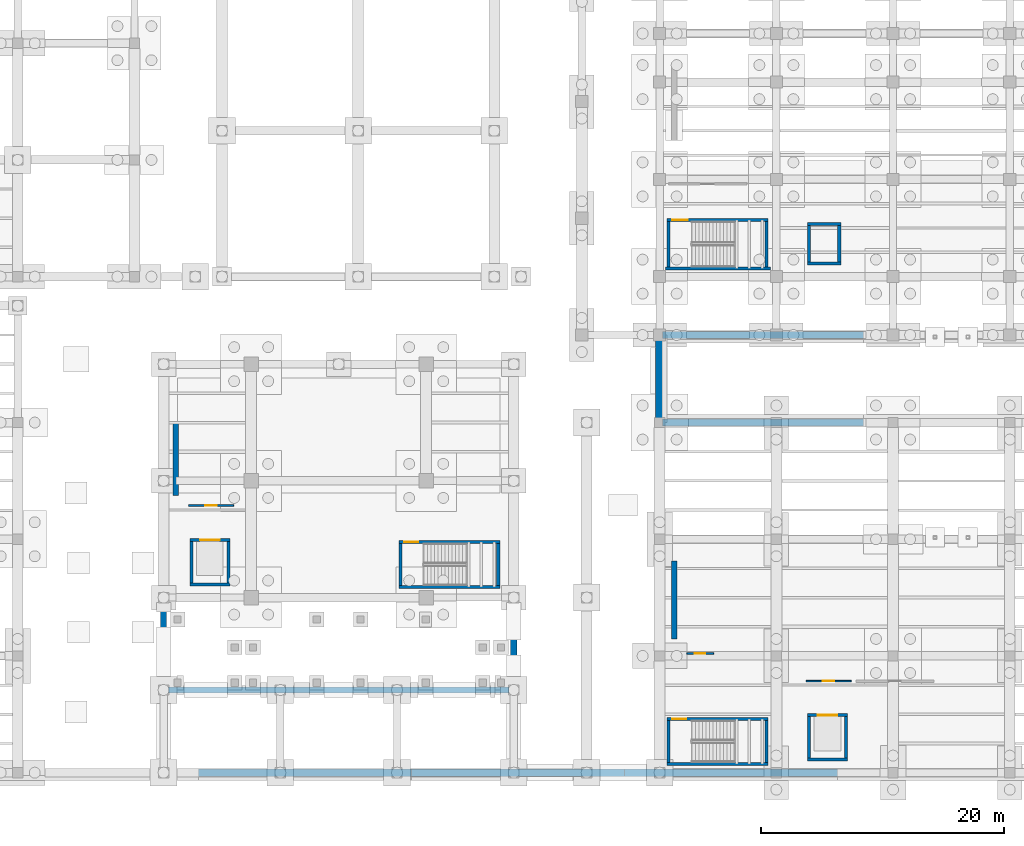
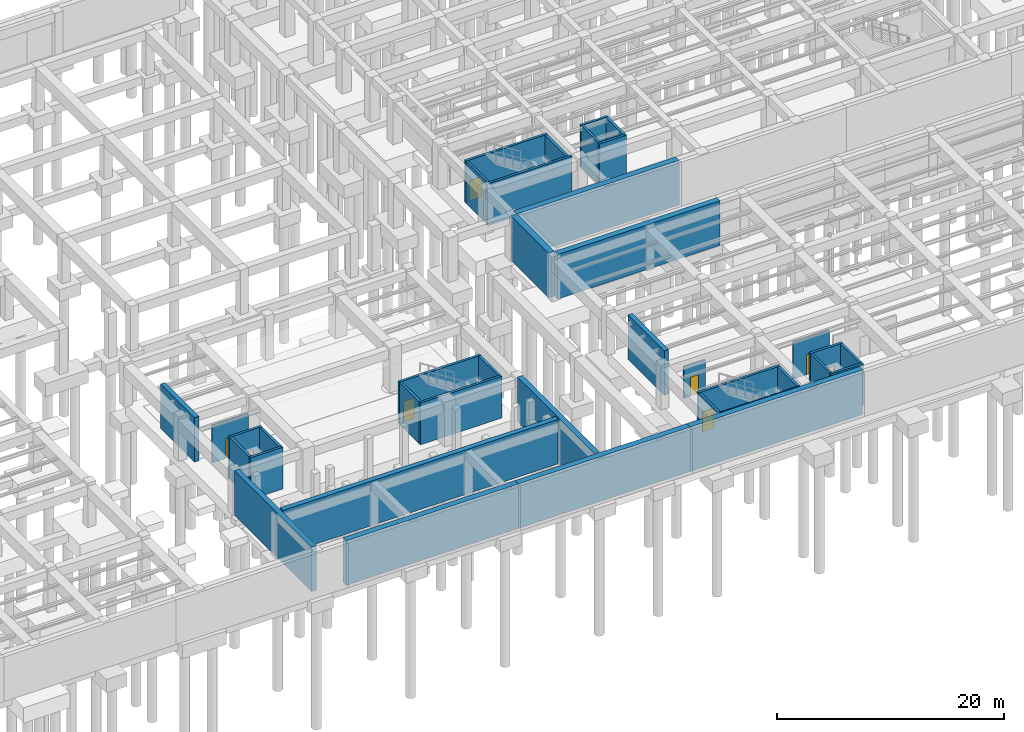
# One storey, part 36 of 56: 38 walls, 8 doors, 8 openings.
"""IFC4 building model written with IfcOpenShell, lengths in metres."""

from ifc_helpers import new_model, si_unit, direction, frame, frame_2d, origin, place, context, subcontext, project, spatial, rectangle, extrude, material, layer, layer_set, type_object, element, fill, save


model = new_model("IFC4")

# Units and contexts
model_context = context("Model", 3, precision=1e-05, world=origin(), true_north=direction((0.0, 1.0)))
body_context = subcontext(model_context, "Body", "Model", "MODEL_VIEW")
ifc_project = project(units=[si_unit("LENGTHUNIT", "METRE"), si_unit("AREAUNIT", "SQUARE_METRE"), si_unit("VOLUMEUNIT", "CUBIC_METRE"), si_unit("PLANEANGLEUNIT", "RADIAN"), si_unit("MASSUNIT", "GRAM", prefix="KILO")], contexts=[model_context])

# Site, building, storey
site_placement = place(None, origin())
site = spatial("IfcSite", under=ifc_project, at=site_placement, CompositionType="ELEMENT")
building_placement = place(site_placement, origin())
building = spatial("IfcBuilding", under=site, at=building_placement, Name="Mavantir Sound Aquarium", CompositionType="ELEMENT")
storey_placement = place(building_placement, frame((0.0, 0.0, -9.60009765625)))
storey = spatial("IfcBuildingStorey", under=building, at=storey_placement, Name="B2", CompositionType="ELEMENT", Elevation=-9.60009765625)

# Wall, opening, door
ifc_material_1 = material(Name="Lightweight Partition Framing", Category="gypsum")
ifc_layer_1 = layer(ifc_material_1, 0.1201171875, Name="Lightweight Partition Framing")
ifc_layer_set_1 = layer_set([ifc_layer_1], Name="Lightweight Partition Framing")
wall_type_1 = type_object("IfcWallType", Name="IW-PART-120", PredefinedType="PARTITIONING", material=ifc_layer_set_1)
wall_1_placement = place(storey_placement, frame((120.050048828125, 7.52490234375, 0.0), z_axis=(0.0, 0.0, 1.0), x_axis=(1.0, 0.0, 0.0)))
wall_1 = element("IfcWall", 1, at=wall_1_placement, inside=storey, type_object=wall_type_1, Name="B2 Life Support Filtration Header and Seawater Polishing Plant entry partition", PredefinedType="PARTITIONING", context=body_context, shape_type="SweptSolid", body=[
    extrude(rectangle(XDim=3.699951171875, YDim=0.1201171875, at=frame_2d((1.85009765625, 0.0))), origin(), (0.0, 0.0, 1.0), 3.9990234375),
])
opening_1_placement = place(wall_1_placement, frame((1.375, 0.0, 0.0)))
opening_1 = element("IfcOpeningElement", 2, at=opening_1_placement, cuts=wall_1, Name="Opening ID-02", PredefinedType="OPENING", context=body_context, shape_type="SweptSolid", body=[
    extrude(rectangle(XDim=0.949951171875, YDim=2.14990234375, at=frame_2d((0.47509765625, 1.074951171875))), frame((0.0, 0.070068359375, 0.0), z_axis=(0.0, -1.0, 0.0), x_axis=(1.0, 0.0, 0.0)), (0.0, 0.0, 1.0), 0.14013671875),
])
ifc_material_2 = material(Name="Solid-Core Marine Hardwood and Vision-Panel Door", Category="wood")
door_type_1 = type_object("IfcDoorType", Name="DR-INT-02", OperationType="NOTDEFINED", PredefinedType="DOOR", material=ifc_material_2)
door_1_placement = place(opening_1_placement, origin())
door_1 = element("IfcDoor", 3, at=door_1_placement, inside=storey, type_object=door_type_1, Name="Life Support Filtration Header and Seawater Polishing Plant door", OperationType="SINGLE_SWING_LEFT", OverallHeight=2.14990234375, OverallWidth=0.949951171875, PredefinedType="DOOR", context=body_context, shape_type="SweptSolid", body=[
    extrude(rectangle(XDim=0.949951171875, YDim=2.14990234375, at=frame_2d((0.47509765625, 1.074951171875))), frame((0.0, 0.02490234375, 0.0), z_axis=(0.0, -1.0, 0.0), x_axis=(1.0, 0.0, 0.0)), (0.0, 0.0, 1.0), 0.050048828125),
])
fill(opening_1, door_1)

ifc_material_3 = material(Name="Acoustic Metal-Stud Gypsum Partition", Category="gypsum")
ifc_layer_2 = layer(ifc_material_3, 0.1298828125, Name="Acoustic Metal-Stud Gypsum Partition")
ifc_layer_set_2 = layer_set([ifc_layer_2], Name="Acoustic Metal-Stud Gypsum Partition")
wall_type_2 = type_object("IfcWallType", Name="IW-PART-130", PredefinedType="PARTITIONING", material=ifc_layer_set_2)
wall_2_placement = place(storey_placement, frame((69.25, 21.97509765625, 0.0), z_axis=(0.0, 0.0, 1.0), x_axis=(1.0, 0.0, 0.0)))
wall_2 = element("IfcWall", 4, at=wall_2_placement, inside=storey, type_object=wall_type_2, Name="B2 Metro Station Platform Concourse East entry partition", PredefinedType="PARTITIONING", context=body_context, shape_type="SweptSolid", body=[
    extrude(rectangle(XDim=3.699951171875, YDim=0.1298828125, at=frame_2d((1.85009765625, 0.0))), origin(), (0.0, 0.0, 1.0), 4.049072265625),
])
opening_2_placement = place(wall_2_placement, frame((1.389892578125, 0.0, 0.0)))
opening_2 = element("IfcOpeningElement", 5, at=opening_2_placement, cuts=wall_2, Name="Opening ID-01", PredefinedType="OPENING", context=body_context, shape_type="SweptSolid", body=[
    extrude(rectangle(XDim=0.919921875, YDim=2.1201171875, at=frame_2d((0.4599609375, 1.06005859375))), frame((0.0, 0.074951171875, 0.0), z_axis=(0.0, -1.0, 0.0), x_axis=(1.0, 0.0, 0.0)), (0.0, 0.0, 1.0), 0.14990234375),
])
door_type_2 = type_object("IfcDoorType", Name="DR-INT-01", OperationType="NOTDEFINED", PredefinedType="DOOR", material=ifc_material_2)
door_2_placement = place(opening_2_placement, origin())
door_2 = element("IfcDoor", 6, at=door_2_placement, inside=storey, type_object=door_type_2, Name="Metro Station Platform Concourse East door", OperationType="SINGLE_SWING_RIGHT", OverallHeight=2.1201171875, OverallWidth=0.919921875, PredefinedType="DOOR", context=body_context, shape_type="SweptSolid", body=[
    extrude(rectangle(XDim=0.919921875, YDim=2.1201171875, at=frame_2d((0.4599609375, 1.06005859375))), frame((0.0, 0.02490234375, 0.0), z_axis=(0.0, -1.0, 0.0), x_axis=(1.0, 0.0, 0.0)), (0.0, 0.0, 1.0), 0.050048828125),
])
fill(opening_2, door_2)

ifc_material_4 = material(Name="Moisture-Resistant Marine Gypsum Partition", Category="gypsum")
ifc_layer_3 = layer(ifc_material_4, 0.139892578125, Name="Moisture-Resistant Marine Gypsum Partition")
ifc_layer_set_3 = layer_set([ifc_layer_3], Name="Moisture-Resistant Marine Gypsum Partition")
wall_type_3 = type_object("IfcWallType", Name="IW-PART-140", PredefinedType="PARTITIONING", material=ifc_layer_set_3)
wall_3_placement = place(storey_placement, frame((110.239990234375, 9.800048828125, 0.0), z_axis=(0.0, 0.0, 1.0), x_axis=(1.0, 0.0, 0.0)))
wall_3 = element("IfcWall", 7, at=wall_3_placement, inside=storey, type_object=wall_type_3, Name="B2 service riser enclosure 3", PredefinedType="PARTITIONING", context=body_context, shape_type="SweptSolid", body=[
    extrude(rectangle(XDim=2.199951171875, YDim=0.139892578125, at=frame_2d((1.10009765625, 0.0))), origin(), (0.0, 0.0, 1.0), 3.416015625),
])
opening_3_placement = place(wall_3_placement, frame((0.64990234375, 0.0, 0.0)))
opening_3 = element("IfcOpeningElement", 8, at=opening_3_placement, cuts=wall_3, Name="Opening TD-01", PredefinedType="OPENING", context=body_context, shape_type="SweptSolid", body=[
    extrude(rectangle(XDim=0.85009765625, YDim=2.050048828125, at=frame_2d((0.425048828125, 1.02490234375))), frame((0.0, 0.080078125, 0.0), z_axis=(0.0, -1.0, 0.0), x_axis=(1.0, 0.0, 0.0)), (0.0, 0.0, 1.0), 0.159912109375),
])
ifc_material_5 = material(Name="Powder-Coated Steel Riser Access Door", Category="steel")
door_type_3 = type_object("IfcDoorType", Name="DR-TRAP-85", OperationType="NOTDEFINED", PredefinedType="TRAPDOOR", material=ifc_material_5)
door_3_placement = place(opening_3_placement, origin())
door_3 = element("IfcDoor", 9, at=door_3_placement, inside=storey, type_object=door_type_3, Name="B2 riser inspection trapdoor 3", OperationType="SINGLE_SWING_RIGHT", OverallHeight=2.050048828125, OverallWidth=0.85009765625, PredefinedType="TRAPDOOR", context=body_context, shape_type="SweptSolid", body=[
    extrude(rectangle(XDim=0.85009765625, YDim=2.050048828125, at=frame_2d((0.425048828125, 1.02490234375))), frame((0.0, 0.02490234375, 0.0), z_axis=(0.0, -1.0, 0.0), x_axis=(1.0, 0.0, 0.0)), (0.0, 0.0, 1.0), 0.050048828125),
])
fill(opening_3, door_3)

# Wall
ifc_material_6 = material(Name="Concrete C40/50", Category="concrete")
ifc_layer_4 = layer(ifc_material_6, 0.25, Name="Concrete C40/50")
ifc_layer_set_4 = layer_set([ifc_layer_4], Name="Concrete C40/50")
wall_type_4 = type_object("IfcWallType", Name="IW-SHAFT-250", PredefinedType="SHEAR", material=ifc_layer_set_4)
wall_4_placement = place(storey_placement, frame((108.5, 41.47509765625, 0.0), z_axis=(0.0, 0.0, 1.0), x_axis=(1.0, 0.0, 0.0)))
element("IfcWall", 10, at=wall_4_placement, inside=storey, type_object=wall_type_4, Name="B2 stair ST4 shaft wall S", PredefinedType="SHEAR", context=body_context, shape_type="SweptSolid", body=[
    extrude(rectangle(XDim=8.60009765625, YDim=0.25, at=frame_2d((4.300048828125, 0.0))), origin(), (0.0, 0.0, 1.0), 4.5),
])

# Wall, opening, door
wall_5_placement = place(storey_placement, frame((116.89990234375, 45.47509765625, 0.0), z_axis=(0.0, 0.0, 1.0), x_axis=(-1.0, 0.0, 0.0)))
wall_5 = element("IfcWall", 11, at=wall_5_placement, inside=storey, type_object=wall_type_4, Name="B2 stair ST4 shaft wall N", PredefinedType="SHEAR", context=body_context, shape_type="SweptSolid", body=[
    extrude(rectangle(XDim=8.2998046875, YDim=0.25, at=frame_2d((4.14990234375, 0.0))), origin(), (0.0, 0.0, 1.0), 4.5),
])
opening_4_placement = place(wall_5_placement, frame((7.85009765625, 0.0, 0.0), z_axis=(0.0, 0.0, 1.0), x_axis=(-1.0, 0.0, 0.0)))
opening_4 = element("IfcOpeningElement", 12, at=opening_4_placement, cuts=wall_5, Name="Opening SD-01", PredefinedType="OPENING", context=body_context, shape_type="SweptSolid", body=[
    extrude(rectangle(XDim=1.25, YDim=2.199951171875, at=frame_2d((0.625, 1.10009765625))), frame((0.0, 0.135009765625, 0.0), z_axis=(0.0, -1.0, 0.0), x_axis=(1.0, 0.0, 0.0)), (0.0, 0.0, 1.0), 0.27001953125),
])
ifc_material_7 = material(Name="Fire-Rated Steel Acoustic Door Leaf", Category="steel")
door_type_4 = type_object("IfcDoorType", Name="DR-ST-125", OperationType="NOTDEFINED", PredefinedType="DOOR", material=ifc_material_7)
door_4_placement = place(opening_4_placement, origin())
door_4 = element("IfcDoor", 13, at=door_4_placement, inside=storey, type_object=door_type_4, Name="B2 protected exit stair ST4 door", OperationType="SINGLE_SWING_LEFT", OverallHeight=2.199951171875, OverallWidth=1.25, PredefinedType="DOOR", context=body_context, shape_type="SweptSolid", body=[
    extrude(rectangle(XDim=1.25, YDim=2.199951171875, at=frame_2d((0.625, 1.10009765625))), frame((0.0, 0.02490234375, 0.0), z_axis=(0.0, -1.0, 0.0), x_axis=(1.0, 0.0, 0.0)), (0.0, 0.0, 1.0), 0.050048828125),
])
fill(opening_4, door_4)

# Walls
for number, where, z_axis, x_axis, name in (
    (14, (108.72509765625, 45.35009765625, 0.0), (0.0, 0.0, 1.0), (0.0, -1.0, 0.0), "B2 stair ST4 shaft wall W"),
    (15, (116.77490234375, 41.60009765625, 0.0), (0.0, 0.0, 1.0), (0.0, 1.0, 0.0), "B2 stair ST4 shaft wall E"),
):
    element("IfcWall", number, at=place(storey_placement, frame(where, z_axis=z_axis, x_axis=x_axis)), inside=storey, type_object=wall_type_4, Name=name, PredefinedType="SHEAR", context=body_context, shape_type="SweptSolid", body=[
        extrude(rectangle(XDim=3.75, YDim=0.25, at=frame_2d((1.875, 0.0))), origin(), (0.0, 0.0, 1.0), 4.5),
    ])
wall_6_placement = place(storey_placement, frame((108.60009765625, 0.72509765625, 0.0), z_axis=(0.0, 0.0, 1.0), x_axis=(1.0, 0.0, 0.0)))
element("IfcWall", 16, at=wall_6_placement, inside=storey, type_object=wall_type_4, Name="B2 stair ST6 shaft wall S", PredefinedType="SHEAR", context=body_context, shape_type="SweptSolid", body=[
    extrude(rectangle(XDim=8.2998046875, YDim=0.25, at=frame_2d((4.14990234375, 0.0))), origin(), (0.0, 0.0, 1.0), 4.4501953125),
])

# Wall, opening, door
wall_7_placement = place(storey_placement, frame((116.89990234375, 4.425048828125, 0.0), z_axis=(0.0, 0.0, 1.0), x_axis=(-1.0, 0.0, 0.0)))
wall_7 = element("IfcWall", 17, at=wall_7_placement, inside=storey, type_object=wall_type_4, Name="B2 stair ST6 shaft wall N", PredefinedType="SHEAR", context=body_context, shape_type="SweptSolid", body=[
    extrude(rectangle(XDim=8.2998046875, YDim=0.25, at=frame_2d((4.14990234375, 0.0))), origin(), (0.0, 0.0, 1.0), 4.4501953125),
])
opening_5_placement = place(wall_7_placement, frame((7.849853515625, 0.0, 0.0), z_axis=(0.0, 0.0, 1.0), x_axis=(-1.0, 0.0, 0.0)))
opening_5 = element("IfcOpeningElement", 18, at=opening_5_placement, cuts=wall_7, Name="Opening SD-02", PredefinedType="OPENING", context=body_context, shape_type="SweptSolid", body=[
    extrude(rectangle(XDim=1.14990234375, YDim=2.199951171875, at=frame_2d((0.574951171875, 1.10009765625))), frame((0.0, 0.135009765625, 0.0), z_axis=(0.0, -1.0, 0.0), x_axis=(1.0, 0.0, 0.0)), (0.0, 0.0, 1.0), 0.27001953125),
])
door_type_5 = type_object("IfcDoorType", Name="DR-ST-115", OperationType="NOTDEFINED", PredefinedType="DOOR", material=ifc_material_7)
door_5_placement = place(opening_5_placement, origin())
door_5 = element("IfcDoor", 19, at=door_5_placement, inside=storey, type_object=door_type_5, Name="B2 protected exit stair ST6 door", OperationType="SINGLE_SWING_LEFT", OverallHeight=2.199951171875, OverallWidth=1.14990234375, PredefinedType="DOOR", context=body_context, shape_type="SweptSolid", body=[
    extrude(rectangle(XDim=1.14990234375, YDim=2.199951171875, at=frame_2d((0.574951171875, 1.10009765625))), frame((0.0, 0.02490234375, 0.0), z_axis=(0.0, -1.0, 0.0), x_axis=(1.0, 0.0, 0.0)), (0.0, 0.0, 1.0), 0.050048828125),
])
fill(opening_5, door_5)

# Walls
for number, where, z_axis, x_axis, name in (
    (20, (108.72509765625, 4.300048828125, 0.0), (0.0, 0.0, 1.0), (0.0, -1.0, 0.0), "B2 stair ST6 shaft wall W"),
    (21, (116.77490234375, 0.85009765625, 0.0), (0.0, 0.0, 1.0), (0.0, 1.0, 0.0), "B2 stair ST6 shaft wall E"),
):
    element("IfcWall", number, at=place(storey_placement, frame(where, z_axis=z_axis, x_axis=x_axis)), inside=storey, type_object=wall_type_4, Name=name, PredefinedType="SHEAR", context=body_context, shape_type="SweptSolid", body=[
        extrude(rectangle(XDim=3.449951171875, YDim=0.25, at=frame_2d((1.72509765625, 0.0))), origin(), (0.0, 0.0, 1.0), 4.4501953125),
    ])
wall_8_placement = place(storey_placement, frame((86.550048828125, 15.27490234375, 0.0), z_axis=(0.0, 0.0, 1.0), x_axis=(1.0, 0.0, 0.0)))
element("IfcWall", 22, at=wall_8_placement, inside=storey, type_object=wall_type_4, Name="B2 stair ST11 shaft wall S", PredefinedType="SHEAR", context=body_context, shape_type="SweptSolid", body=[
    extrude(rectangle(XDim=8.300048828125, YDim=0.25, at=frame_2d((4.14990234375, 0.0))), origin(), (0.0, 0.0, 1.0), 4.5),
])

# Wall, opening, door
wall_9_placement = place(storey_placement, frame((94.85009765625, 18.97509765625, 0.0), z_axis=(0.0, 0.0, 1.0), x_axis=(-1.0, 0.0, 0.0)))
wall_9 = element("IfcWall", 23, at=wall_9_placement, inside=storey, type_object=wall_type_4, Name="B2 stair ST11 shaft wall N", PredefinedType="SHEAR", context=body_context, shape_type="SweptSolid", body=[
    extrude(rectangle(XDim=8.300048828125, YDim=0.25, at=frame_2d((4.14990234375, 0.0))), origin(), (0.0, 0.0, 1.0), 4.5),
])
opening_6_placement = place(wall_9_placement, frame((7.849853515625, 0.0, 0.0), z_axis=(0.0, 0.0, 1.0), x_axis=(-1.0, 0.0, 0.0)))
opening_6 = element("IfcOpeningElement", 24, at=opening_6_placement, cuts=wall_9, Name="Opening SD-02", PredefinedType="OPENING", context=body_context, shape_type="SweptSolid", body=[
    extrude(rectangle(XDim=1.14990234375, YDim=2.199951171875, at=frame_2d((0.574951171875, 1.10009765625))), frame((0.0, 0.135009765625, 0.0), z_axis=(0.0, -1.0, 0.0), x_axis=(1.0, 0.0, 0.0)), (0.0, 0.0, 1.0), 0.27001953125),
])
door_6_placement = place(opening_6_placement, origin())
door_6 = element("IfcDoor", 25, at=door_6_placement, inside=storey, type_object=door_type_5, Name="B2 protected exit stair ST11 door", OperationType="SINGLE_SWING_LEFT", OverallHeight=2.199951171875, OverallWidth=1.14990234375, PredefinedType="DOOR", context=body_context, shape_type="SweptSolid", body=[
    extrude(rectangle(XDim=1.14990234375, YDim=2.199951171875, at=frame_2d((0.574951171875, 1.10009765625))), frame((0.0, 0.02490234375, 0.0), z_axis=(0.0, -1.0, 0.0), x_axis=(1.0, 0.0, 0.0)), (0.0, 0.0, 1.0), 0.050048828125),
])
fill(opening_6, door_6)

# Walls
for number, where, z_axis, x_axis, name in (
    (26, (86.675048828125, 18.85009765625, 0.0), (0.0, 0.0, 1.0), (0.0, -1.0, 0.0), "B2 stair ST11 shaft wall W"),
    (27, (94.72509765625, 15.39990234375, 0.0), (0.0, 0.0, 1.0), (0.0, 1.0, 0.0), "B2 stair ST11 shaft wall E"),
):
    element("IfcWall", number, at=place(storey_placement, frame(where, z_axis=z_axis, x_axis=x_axis)), inside=storey, type_object=wall_type_4, Name=name, PredefinedType="SHEAR", context=body_context, shape_type="SweptSolid", body=[
        extrude(rectangle(XDim=3.4501953125, YDim=0.25, at=frame_2d((1.72509765625, 0.0))), origin(), (0.0, 0.0, 1.0), 4.5),
    ])
for number, where, z_axis, x_axis, name in (
    (28, (120.14990234375, 41.875, 0.0), (0.0, 0.0, 1.0), (1.0, 0.0, 0.0), "B2 lift LC4 shaft wall S"),
    (29, (120.14990234375, 45.125, 0.0), (0.0, 0.0, 1.0), (1.0, 0.0, 0.0), "B2 lift LC4 shaft wall N"),
):
    element("IfcWall", number, at=place(storey_placement, frame(where, z_axis=z_axis, x_axis=x_axis)), inside=storey, type_object=wall_type_4, Name=name, PredefinedType="SHEAR", context=body_context, shape_type="SweptSolid", body=[
        extrude(rectangle(XDim=2.75, YDim=0.25, at=frame_2d((1.375, 0.0))), origin(), (0.0, 0.0, 1.0), 4.5),
    ])
for number, where, z_axis, x_axis, name in (
    (30, (120.27490234375, 42.0, 0.0), (0.0, 0.0, 1.0), (0.0, 1.0, 0.0), "B2 lift LC4 shaft wall W"),
    (31, (122.77490234375, 42.0, 0.0), (0.0, 0.0, 1.0), (0.0, 1.0, 0.0), "B2 lift LC4 shaft wall E"),
):
    element("IfcWall", number, at=place(storey_placement, frame(where, z_axis=z_axis, x_axis=x_axis)), inside=storey, type_object=wall_type_4, Name=name, PredefinedType="SHEAR", context=body_context, shape_type="SweptSolid", body=[
        extrude(rectangle(XDim=3.0, YDim=0.25, at=frame_2d((1.5, 0.0))), origin(), (0.0, 0.0, 1.0), 4.5),
    ])
wall_10_placement = place(storey_placement, frame((120.14990234375, 1.074951171875, 0.0), z_axis=(0.0, 0.0, 1.0), x_axis=(1.0, 0.0, 0.0)))
element("IfcWall", 32, at=wall_10_placement, inside=storey, type_object=wall_type_4, Name="B2 lift LC6 shaft wall S", PredefinedType="SHEAR", context=body_context, shape_type="SweptSolid", body=[
    extrude(rectangle(XDim=3.300048828125, YDim=0.25, at=frame_2d((1.64990234375, 0.0))), origin(), (0.0, 0.0, 1.0), 4.4501953125),
])

# Wall, opening, door
wall_11_placement = place(storey_placement, frame((120.14990234375, 4.72509765625, 0.0), z_axis=(0.0, 0.0, 1.0), x_axis=(1.0, 0.0, 0.0)))
wall_11 = element("IfcWall", 33, at=wall_11_placement, inside=storey, type_object=wall_type_4, Name="B2 lift LC6 shaft wall N", PredefinedType="SHEAR", context=body_context, shape_type="SweptSolid", body=[
    extrude(rectangle(XDim=3.300048828125, YDim=0.25, at=frame_2d((1.64990234375, 0.0))), origin(), (0.0, 0.0, 1.0), 4.4501953125),
])
opening_7_placement = place(wall_11_placement, frame((0.85009765625, 0.0, 0.0)))
opening_7 = element("IfcOpeningElement", 34, at=opening_7_placement, cuts=wall_11, Name="Opening LD-03", PredefinedType="OPENING", context=body_context, shape_type="SweptSolid", body=[
    extrude(rectangle(XDim=1.60009765625, YDim=2.300048828125, at=frame_2d((0.800048828125, 1.14990234375))), frame((0.0, 0.135009765625, 0.0), z_axis=(0.0, -1.0, 0.0), x_axis=(1.0, 0.0, 0.0)), (0.0, 0.0, 1.0), 0.27001953125),
])
ifc_material_8 = material(Name="Stainless Steel 316 Goods Lift Landing Door", Category="steel")
door_type_6 = type_object("IfcDoorType", Name="DR-LD-160", OperationType="NOTDEFINED", PredefinedType="DOOR", material=ifc_material_8)
door_7_placement = place(opening_7_placement, origin())
door_7 = element("IfcDoor", 35, at=door_7_placement, inside=storey, type_object=door_type_6, Name="Lift LC6 sliding landing door (B2)", OperationType="DOUBLE_DOOR_SLIDING", OverallHeight=2.300048828125, OverallWidth=1.60009765625, PredefinedType="DOOR", context=body_context, shape_type="SweptSolid", body=[
    extrude(rectangle(XDim=1.60009765625, YDim=2.300048828125, at=frame_2d((0.800048828125, 1.14990234375))), frame((0.0, 0.02490234375, 0.0), z_axis=(0.0, -1.0, 0.0), x_axis=(1.0, 0.0, 0.0)), (0.0, 0.0, 1.0), 0.050048828125),
])
fill(opening_7, door_7)

# Walls
for number, where, z_axis, x_axis, name in (
    (36, (120.27490234375, 1.199951171875, 0.0), (0.0, 0.0, 1.0), (0.0, 1.0, 0.0), "B2 lift LC6 shaft wall W"),
    (37, (123.324951171875, 1.199951171875, 0.0), (0.0, 0.0, 1.0), (0.0, 1.0, 0.0), "B2 lift LC6 shaft wall E"),
):
    element("IfcWall", number, at=place(storey_placement, frame(where, z_axis=z_axis, x_axis=x_axis)), inside=storey, type_object=wall_type_4, Name=name, PredefinedType="SHEAR", context=body_context, shape_type="SweptSolid", body=[
        extrude(rectangle(XDim=3.400146484375, YDim=0.25, at=frame_2d((1.7001953125, 0.0))), origin(), (0.0, 0.0, 1.0), 4.4501953125),
    ])
wall_12_placement = place(storey_placement, frame((69.35009765625, 15.47509765625, 0.0), z_axis=(0.0, 0.0, 1.0), x_axis=(1.0, 0.0, 0.0)))
element("IfcWall", 38, at=wall_12_placement, inside=storey, type_object=wall_type_4, Name="B2 lift LC7 shaft wall S", PredefinedType="SHEAR", context=body_context, shape_type="SweptSolid", body=[
    extrude(rectangle(XDim=3.2998046875, YDim=0.25, at=frame_2d((1.64990234375, 0.0))), origin(), (0.0, 0.0, 1.0), 4.5),
])

# Wall, opening, door
wall_13_placement = place(storey_placement, frame((69.35009765625, 19.125, 0.0), z_axis=(0.0, 0.0, 1.0), x_axis=(1.0, 0.0, 0.0)))
wall_13 = element("IfcWall", 39, at=wall_13_placement, inside=storey, type_object=wall_type_4, Name="B2 lift LC7 shaft wall N", PredefinedType="SHEAR", context=body_context, shape_type="SweptSolid", body=[
    extrude(rectangle(XDim=3.2998046875, YDim=0.25, at=frame_2d((1.64990234375, 0.0))), origin(), (0.0, 0.0, 1.0), 4.5),
])
opening_8_placement = place(wall_13_placement, frame((0.85009765625, 0.0, 0.0)))
opening_8 = element("IfcOpeningElement", 40, at=opening_8_placement, cuts=wall_13, Name="Opening LD-03", PredefinedType="OPENING", context=body_context, shape_type="SweptSolid", body=[
    extrude(rectangle(XDim=1.60009765625, YDim=2.300048828125, at=frame_2d((0.800048828125, 1.14990234375))), frame((0.0, 0.135009765625, 0.0), z_axis=(0.0, -1.0, 0.0), x_axis=(1.0, 0.0, 0.0)), (0.0, 0.0, 1.0), 0.27001953125),
])
door_8_placement = place(opening_8_placement, origin())
door_8 = element("IfcDoor", 41, at=door_8_placement, inside=storey, type_object=door_type_6, Name="Lift LC7 sliding landing door (B2)", OperationType="DOUBLE_DOOR_SLIDING", OverallHeight=2.300048828125, OverallWidth=1.60009765625, PredefinedType="DOOR", context=body_context, shape_type="SweptSolid", body=[
    extrude(rectangle(XDim=1.60009765625, YDim=2.300048828125, at=frame_2d((0.800048828125, 1.14990234375))), frame((0.0, 0.02490234375, 0.0), z_axis=(0.0, -1.0, 0.0), x_axis=(1.0, 0.0, 0.0)), (0.0, 0.0, 1.0), 0.050048828125),
])
fill(opening_8, door_8)

# Walls
for number, where, z_axis, x_axis, name in (
    (42, (69.47509765625, 15.60009765625, 0.0), (0.0, 0.0, 1.0), (0.0, 1.0, 0.0), "B2 lift LC7 shaft wall W"),
    (43, (72.52490234375, 15.60009765625, 0.0), (0.0, 0.0, 1.0), (0.0, 1.0, 0.0), "B2 lift LC7 shaft wall E"),
):
    element("IfcWall", number, at=place(storey_placement, frame(where, z_axis=z_axis, x_axis=x_axis)), inside=storey, type_object=wall_type_4, Name=name, PredefinedType="SHEAR", context=body_context, shape_type="SweptSolid", body=[
        extrude(rectangle(XDim=3.39990234375, YDim=0.25, at=frame_2d((1.699951171875, 0.0))), origin(), (0.0, 0.0, 1.0), 4.5),
    ])
ifc_material_9 = material(Name="Concrete C45/55", Category="concrete")
ifc_layer_5 = layer(ifc_material_9, 0.60009765625, Name="Concrete C45/55")
ifc_layer_set_5 = layer_set([ifc_layer_5], Name="Concrete C45/55")
wall_type_5 = type_object("IfcWallType", Name="SW-RET-600", PredefinedType="USERDEFINED", material=ifc_layer_set_5)
wall_14_placement = place(storey_placement, frame((124.762939453125, 36.0, 0.0), z_axis=(0.0, 0.0, 1.0), x_axis=(-1.0, 0.0, 0.0)))
element("IfcWall", 44, at=wall_14_placement, inside=storey, type_object=wall_type_5, Name="B2 perimeter plinth retaining wall 69", ObjectType="RETAINING WALL", PredefinedType="USERDEFINED", context=body_context, shape_type="SweptSolid", body=[
    extrude(rectangle(XDim=16.532958984375, YDim=0.60009765625, at=frame_2d((8.2666015625, 0.0))), origin(), (0.0, 0.0, 1.0), 4.800048828125),
])
wall_15_placement = place(storey_placement, frame((107.949951171875, 35.719970703125, 0.0), z_axis=(0.0, 0.0, 1.0), x_axis=(0.0, -1.0, 0.0)))
element("IfcWall", 45, at=wall_15_placement, inside=storey, type_object=wall_type_5, Name="B2 perimeter plinth retaining wall 71", ObjectType="RETAINING WALL", PredefinedType="USERDEFINED", context=body_context, shape_type="SweptSolid", body=[
    extrude(rectangle(XDim=6.639892578125, YDim=0.60009765625, at=frame_2d((3.31982421875, 0.0))), origin(), (0.0, 0.0, 1.0), 4.800048828125),
])
wall_16_placement = place(storey_placement, frame((108.22998046875, 28.800048828125, 0.0), z_axis=(0.0, 0.0, 1.0), x_axis=(1.0, 0.0, 0.0)))
element("IfcWall", 46, at=wall_16_placement, inside=storey, type_object=wall_type_5, Name="B2 perimeter plinth retaining wall 73", ObjectType="RETAINING WALL", PredefinedType="USERDEFINED", context=body_context, shape_type="SweptSolid", body=[
    extrude(rectangle(XDim=16.532958984375, YDim=0.60009765625, at=frame_2d((8.2666015625, 0.0))), origin(), (0.0, 0.0, 1.0), 4.800048828125),
])
wall_17_placement = place(storey_placement, frame((122.639892578125, 0.0, 0.0), z_axis=(0.0, 0.0, 1.0), x_axis=(-1.0, 0.0, 0.0)))
element("IfcWall", 47, at=wall_17_placement, inside=storey, type_object=wall_type_5, Name="B2 perimeter plinth retaining wall 91", ObjectType="RETAINING WALL", PredefinedType="USERDEFINED", context=body_context, shape_type="SweptSolid", body=[
    extrude(rectangle(XDim=17.519775390625, YDim=0.60009765625, at=frame_2d((8.759765625, 0.0))), origin(), (0.0, 0.0, 1.0), 4.800048828125),
])
for number, where, z_axis, x_axis, name in (
    (48, (105.1201171875, 0.0, 0.0), (0.0, 0.0, 1.0), (-1.0, 0.0, 0.0), "B2 perimeter plinth retaining wall 93"),
    (49, (87.60009765625, 0.0, 0.0), (0.0, 0.0, 1.0), (-1.0, 0.0, 0.0), "B2 perimeter plinth retaining wall 95"),
):
    element("IfcWall", number, at=place(storey_placement, frame(where, z_axis=z_axis, x_axis=x_axis)), inside=storey, type_object=wall_type_5, Name=name, ObjectType="RETAINING WALL", PredefinedType="USERDEFINED", context=body_context, shape_type="SweptSolid", body=[
        extrude(rectangle(XDim=17.52001953125, YDim=0.60009765625, at=frame_2d((8.760009765625, 0.0))), origin(), (0.0, 0.0, 1.0), 4.800048828125),
    ])
for number, where, z_axis, x_axis, name in (
    (50, (67.199951171875, 0.39990234375, 0.0), (0.0, 0.0, 1.0), (0.0, 1.0, 0.0), "B2 forecourt retaining wall RW-FORE-W"),
    (51, (96.0, 0.39990234375, 0.0), (0.0, 0.0, 1.0), (0.0, 1.0, 0.0), "B2 forecourt retaining wall RW-FORE-E"),
):
    element("IfcWall", number, at=place(storey_placement, frame(where, z_axis=z_axis, x_axis=x_axis)), inside=storey, type_object=wall_type_5, Name=name, ObjectType="RETAINING WALL", PredefinedType="USERDEFINED", context=body_context, shape_type="SweptSolid", body=[
        extrude(rectangle(XDim=13.60009765625, YDim=0.5, at=frame_2d((6.800048828125, 0.0))), origin(), (0.0, 0.0, 1.0), 4.800048828125),
    ])
wall_18_placement = place(storey_placement, frame((67.60009765625, 6.800048828125, 0.0), z_axis=(0.0, 0.0, 1.0), x_axis=(1.0, 0.0, 0.0)))
element("IfcWall", 52, at=wall_18_placement, inside=storey, type_object=wall_type_5, Name="B2 forecourt retaining wall RW-FORE-STEP", ObjectType="RETAINING WALL", PredefinedType="USERDEFINED", context=body_context, shape_type="SweptSolid", body=[
    extrude(rectangle(XDim=28.0, YDim=0.5, at=frame_2d((14.0, 0.0))), origin(), (0.0, 0.0, 1.0), 4.800048828125),
])
ifc_layer_6 = layer(ifc_material_6, 0.449951171875, Name="Concrete C40/50")
ifc_layer_set_6 = layer_set([ifc_layer_6], Name="Concrete C40/50")
wall_type_6 = type_object("IfcWallType", Name="SW-SHR-450", PredefinedType="SHEAR", material=ifc_layer_set_6)
wall_19_placement = place(storey_placement, frame((109.199951171875, 11.0, 0.0), z_axis=(0.0, 0.0, 1.0), x_axis=(0.0, 1.0, 0.0)))
element("IfcWall", 53, at=wall_19_placement, inside=storey, type_object=wall_type_6, Name="B2 special RC shear wall 38 (V6)", PredefinedType="SHEAR", context=body_context, shape_type="SweptSolid", body=[
    extrude(rectangle(XDim=6.39990234375, YDim=0.449951171875, at=frame_2d((3.199951171875, 0.0))), origin(), (0.0, 0.0, 1.0), 4.800048828125),
])
wall_20_placement = place(storey_placement, frame((68.199951171875, 22.800048828125, 0.0), z_axis=(0.0, 0.0, 1.0), x_axis=(0.0, 1.0, 0.0)))
element("IfcWall", 54, at=wall_20_placement, inside=storey, type_object=wall_type_6, Name="B2 special RC shear wall 44 (V7)", PredefinedType="SHEAR", context=body_context, shape_type="SweptSolid", body=[
    extrude(rectangle(XDim=6.0, YDim=0.449951171875, at=frame_2d((3.0, 0.0))), origin(), (0.0, 0.0, 1.0), 4.800048828125),
])

save(model, "model.ifc")
